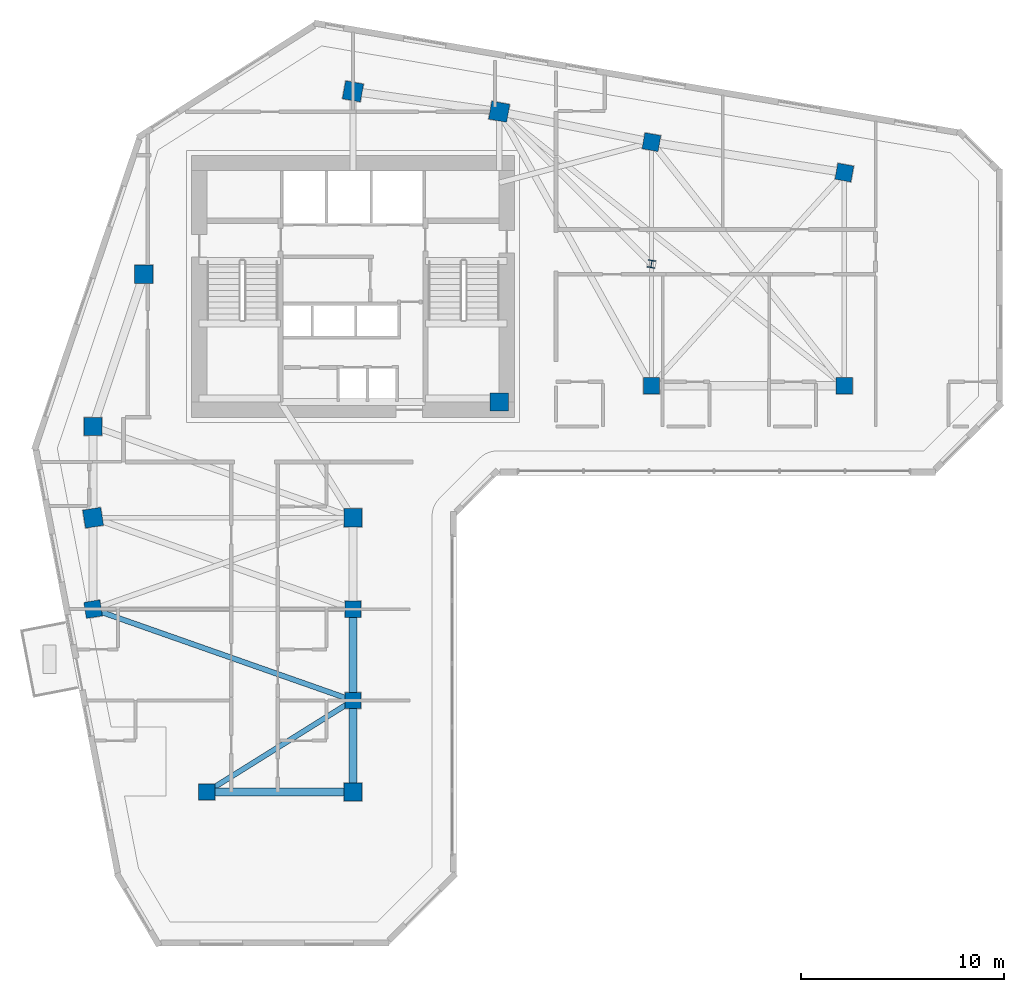
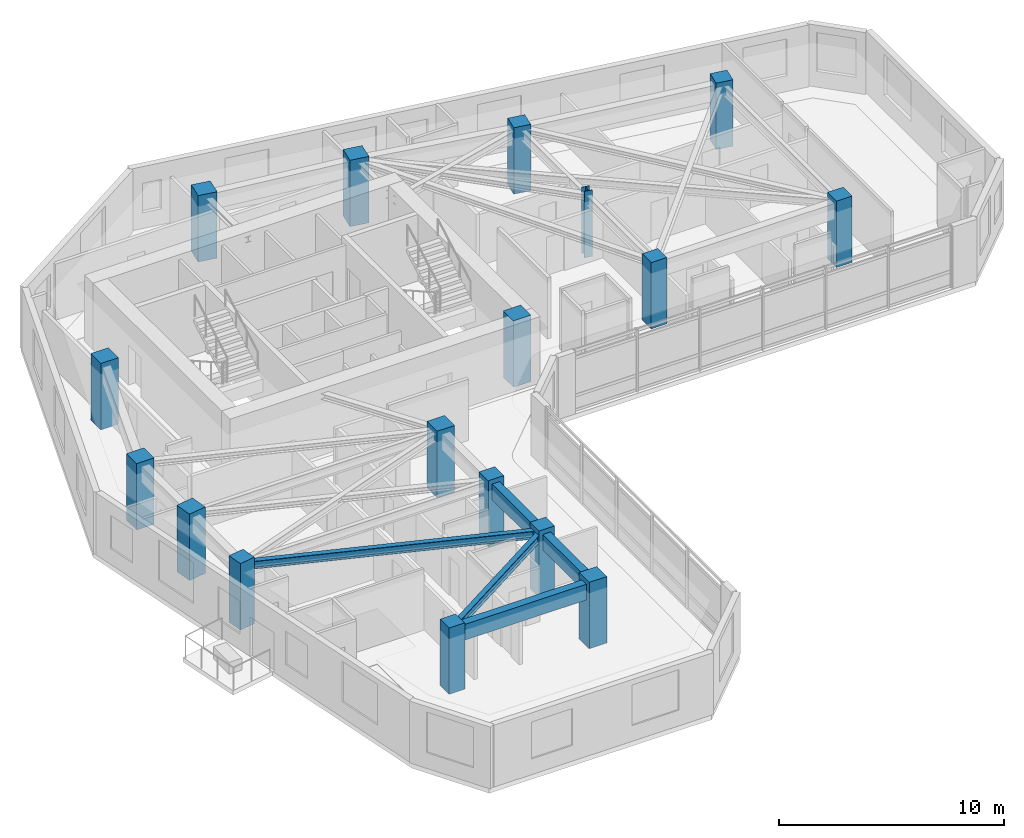
# One storey, part 1 of 12: 17 columns, 5 beams.
"""IFC4 building model written with IfcOpenShell, lengths in metres."""

import ifcopenshell
import ifcopenshell.guid

model = None  # the IFC model being written
_history = None  # IfcOwnerHistory: only IFC2X3 demands one
_inside = {}  # id of a spatial element -> (the spatial element, [elements in it])
_under = {}  # id of a project, library or spatial element -> (it, [spatial elements below it])
_declared = {}  # id of a project -> (the project, [libraries it declares])
_typed = {}  # id of a type object -> (the type object, [elements of that type])
_made_of = {}  # id of a material, layer set ... -> (it, [elements and type objects made of it])


def new_model(schema):
    """Start an empty IFC model of exactly this schema.

    Asked for "IFC4X3", IfcOpenShell would pick the latest addendum, in which some entities
    have other attributes; the version numbers below select the first issue.
    IFC2X3 requires an IfcOwnerHistory on every rooted entity: one is made here for all.
    """
    global model, _history
    if schema == "IFC4X3":
        model = ifcopenshell.file(schema_version=(4, 3, 0, 0))
    else:
        model = ifcopenshell.file(schema=schema)
    _inside.clear()
    _under.clear()
    _declared.clear()
    _typed.clear()
    _made_of.clear()
    _history = None
    if model.schema == "IFC2X3":
        org = make("IfcOrganization", Name="unknown")
        user = make(
            "IfcPersonAndOrganization",
            ThePerson=make("IfcPerson", FamilyName="unknown"),
            TheOrganization=org,
        )
        app = make(
            "IfcApplication",
            ApplicationDeveloper=org,
            Version="unknown",
            ApplicationFullName="unknown",
            ApplicationIdentifier="unknown",
        )
        _history = make(
            "IfcOwnerHistory",
            OwningUser=user,
            OwningApplication=app,
            ChangeAction="ADDED",
            CreationDate=0,
        )
    return model


def make(cls, **values):
    """One entity of the class cls with the attributes given. An attribute that is None is left unset."""
    return model.create_entity(
        cls, **{name: value for name, value in values.items() if value is not None}
    )


def rooted(cls, **values):
    """An entity with a GlobalId (a new one), such as an element, a storey or a relation."""
    return make(cls, GlobalId=ifcopenshell.guid.new(), OwnerHistory=_history, **values)


def si_unit(unit_type, name, prefix=None):
    """IfcSIUnit, for example si_unit("LENGTHUNIT", "METRE", prefix="MILLI")."""
    return make("IfcSIUnit", UnitType=unit_type, Prefix=prefix, Name=name)


def assignment(units):
    """IfcUnitAssignment: the units of a project."""
    return None if units is None else make("IfcUnitAssignment", Units=units)


def point(xyz):
    """IfcCartesianPoint."""
    return None if xyz is None else make("IfcCartesianPoint", Coordinates=xyz)


def direction(xyz):
    """IfcDirection."""
    return None if xyz is None else make("IfcDirection", DirectionRatios=xyz)


def frame(location, z_axis=None, x_axis=None):
    """IfcAxis2Placement3D, a coordinate frame: its origin and axes. An axis left out is left unset."""
    return make(
        "IfcAxis2Placement3D",
        Location=point(location),
        Axis=direction(z_axis),
        RefDirection=direction(x_axis),
    )


def frame_2d(location, x_axis=None):
    """IfcAxis2Placement2D, a coordinate frame in the plane: its origin and x axis."""
    return make(
        "IfcAxis2Placement2D", Location=point(location), RefDirection=direction(x_axis)
    )


def origin():
    """The frame at (0, 0, 0) with its axes left unset."""
    return frame((0.0, 0.0, 0.0))


def origin_2d():
    """The frame at (0, 0) in the plane with its x axis left unset."""
    return frame_2d((0.0, 0.0))


def place(relative_to, where):
    """IfcLocalPlacement: puts the frame where relative to a parent placement (None: the world)."""
    return make(
        "IfcLocalPlacement", PlacementRelTo=relative_to, RelativePlacement=where
    )


def context(
    kind, dimensions, precision=None, world=None, true_north=None, identifier=None
):
    """IfcGeometricRepresentationContext, for example the 3D "Model" context."""
    return make(
        "IfcGeometricRepresentationContext",
        ContextIdentifier=identifier,
        ContextType=kind,
        CoordinateSpaceDimension=dimensions,
        Precision=precision,
        WorldCoordinateSystem=world,
        TrueNorth=true_north,
    )


def subcontext(parent, identifier, kind, view, scale=None):
    """IfcGeometricRepresentationSubContext, for example "Body" below "Model"."""
    return make(
        "IfcGeometricRepresentationSubContext",
        ContextIdentifier=identifier,
        ContextType=kind,
        ParentContext=parent,
        TargetScale=scale,
        TargetView=view,
    )


def project(units=None, contexts=None):
    """IfcProject with its units and contexts."""
    return rooted(
        "IfcProject",
        Name="project",
        RepresentationContexts=contexts,
        UnitsInContext=assignment(units),
    )


def spatial(cls, under=None, at=None, **own):
    """A site, building, storey or space (cls), placed at a placement, below another one or the project."""
    s = rooted(cls, ObjectPlacement=at, **own)
    if under is not None:
        _under.setdefault(under.id(), (under, []))[1].append(s)
    return s


def profile(cls, at=None, kind="AREA", **sizes):
    """A parametric profile (cls). Its sizes go by their IFC names, for example OverallWidth=200.0."""
    return make(cls, ProfileType=kind, Position=at, **sizes)


def rectangle(**sizes):
    """IfcRectangleProfileDef."""
    return profile("IfcRectangleProfileDef", **sizes)


def i_section(**sizes):
    """IfcIShapeProfileDef."""
    return profile("IfcIShapeProfileDef", **sizes)


def extrude(swept, where, along, depth):
    """IfcExtrudedAreaSolid: the profile swept, set in the frame where, extruded along a direction by depth."""
    return make(
        "IfcExtrudedAreaSolid",
        SweptArea=swept,
        Position=where,
        ExtrudedDirection=direction(along),
        Depth=depth,
    )


def shape(context_of_items, identifier, shape_type, items):
    """IfcShapeRepresentation: the items that make up one representation, for example the "Body"."""
    return make(
        "IfcShapeRepresentation",
        ContextOfItems=context_of_items,
        RepresentationIdentifier=identifier,
        RepresentationType=shape_type,
        Items=items,
    )


def source(mapping_origin, context_of_items, identifier, shape_type, items):
    """IfcRepresentationMap: a shape defined once, which mapped items show again and again."""
    return make(
        "IfcRepresentationMap",
        MappingOrigin=mapping_origin,
        MappedRepresentation=shape(context_of_items, identifier, shape_type, items),
    )


def transform(
    local_origin,
    x_axis=None,
    y_axis=None,
    z_axis=None,
    scale=None,
    scale2=None,
    scale3=None,
    uniform=True,
):
    """IfcCartesianTransformationOperator3D, or its non-uniform kind. x_axis, y_axis, z_axis: its Axis1, 2, 3."""
    if uniform:
        return make(
            "IfcCartesianTransformationOperator3D",
            Axis1=direction(x_axis),
            Axis2=direction(y_axis),
            LocalOrigin=point(local_origin),
            Scale=scale,
            Axis3=direction(z_axis),
        )
    return make(
        "IfcCartesianTransformationOperator3DnonUniform",
        Axis1=direction(x_axis),
        Axis2=direction(y_axis),
        LocalOrigin=point(local_origin),
        Scale=scale,
        Axis3=direction(z_axis),
        Scale2=scale2,
        Scale3=scale3,
    )


def mapped(mapping_source, mapping_target):
    """IfcMappedItem: shows the shape of a source again, moved by a transform."""
    return make(
        "IfcMappedItem", MappingSource=mapping_source, MappingTarget=mapping_target
    )


def material(Name=None, Category=None):
    """IfcMaterial."""
    return make("IfcMaterial", Name=Name, Category=Category)


def material_profile(
    of_material, cross_section, Name=None, Category=None, Priority=None
):
    """IfcMaterialProfile: a cross section and its material."""
    return make(
        "IfcMaterialProfile",
        Name=Name,
        Material=of_material,
        Profile=cross_section,
        Priority=Priority,
        Category=Category,
    )


def profile_set(profiles, Name=None, composite=None):
    """IfcMaterialProfileSet."""
    return make(
        "IfcMaterialProfileSet",
        Name=Name,
        MaterialProfiles=profiles,
        CompositeProfile=composite,
    )


def made_of(thing, what):
    """Note that an element or type object is made of a material, layer set ...; save() writes the relation."""
    if what is not None:
        _made_of.setdefault(what.id(), (what, []))[1].append(thing)
    return thing


def type_object(cls, material=None, **own):
    """A type object (cls), such as IfcWallType, which elements share."""
    return made_of(rooted(cls, **own), material)


def element(
    cls,
    number,
    at=None,
    inside=None,
    cuts=None,
    type_object=None,
    material=None,
    context=None,
    identifier="Body",
    shape_type=None,
    held_by="IfcProductDefinitionShape",
    body=None,
    shapes=None,
    **own,
):
    """One element of the class cls, such as IfcWall. Its Tag is "e" and its number.

    at: its placement. inside: the storey or other place that contains it. cuts: it is an
    opening in that element (IfcRelVoidsElement). A single representation is given by context,
    identifier, shape_type and body (its items); several are given by shapes. held_by: the class
    of the entity that holds the representations. save() writes the other relations.
    """
    e = rooted(cls, Tag="e%d" % number, ObjectPlacement=at, **own)
    if body is not None:
        shapes = [shape(context, identifier, shape_type, body)]
    if shapes is not None:
        e.Representation = make(held_by, Representations=shapes)
    if inside is not None:
        _inside.setdefault(inside.id(), (inside, []))[1].append(e)
    if cuts is not None:
        rooted(
            "IfcRelVoidsElement", RelatingBuildingElement=cuts, RelatedOpeningElement=e
        )
    if type_object is not None:
        _typed.setdefault(type_object.id(), (type_object, []))[1].append(e)
    return made_of(e, material)


def aggregate(whole, parts):
    """IfcRelAggregates: a whole, such as a stair, and the parts it consists of."""
    return rooted("IfcRelAggregates", RelatingObject=whole, RelatedObjects=parts)


def save(model, path):
    """Write the relations noted so far, then the file.

    IfcRelAggregates (storeys below a building ...), IfcRelContainedInSpatialStructure (elements
    in a storey), IfcRelDefinesByType, IfcRelAssociatesMaterial and IfcRelDeclares: one each for
    every whole, place, type object, material and project.
    """
    for whole, parts in _under.values():
        aggregate(whole, parts)
    for where, things in _inside.values():
        rooted(
            "IfcRelContainedInSpatialStructure",
            RelatedElements=things,
            RelatingStructure=where,
        )
    for kind, things in _typed.values():
        rooted("IfcRelDefinesByType", RelatedObjects=things, RelatingType=kind)
    for what, things in _made_of.values():
        rooted("IfcRelAssociatesMaterial", RelatedObjects=things, RelatingMaterial=what)
    for by, libraries in _declared.values():
        rooted("IfcRelDeclares", RelatingContext=by, RelatedDefinitions=libraries)
    model.write(path)


model = new_model("IFC4")

# Units and contexts
model_context = context("Model", 3, precision=1e-05, world=origin(), true_north=direction((0.0, 1.0)))
body_context = subcontext(model_context, "Body", "Model", "MODEL_VIEW")
ifc_project = project(units=[si_unit("LENGTHUNIT", "METRE"), si_unit("AREAUNIT", "SQUARE_METRE"), si_unit("VOLUMEUNIT", "CUBIC_METRE"), si_unit("PLANEANGLEUNIT", "RADIAN"), si_unit("MASSUNIT", "GRAM", prefix="KILO")], contexts=[model_context])

# Site, building, storey
site_placement = place(None, origin())
site = spatial("IfcSite", under=ifc_project, at=site_placement, CompositionType="ELEMENT")
building_placement = place(site_placement, origin())
building = spatial("IfcBuilding", under=site, at=building_placement, Name="Calvemar Wedge Station Tower", CompositionType="ELEMENT")
storey_placement = place(building_placement, frame((0.0, 0.0, 121.39990234375)))
storey = spatial("IfcBuildingStorey", under=building, at=storey_placement, Name="L29", CompositionType="ELEMENT", Elevation=121.39990234375)

# Columns
ifc_material_1 = material(Name="Concrete C60", Category="concrete")
ifc_material_profile_1 = material_profile(ifc_material_1, rectangle(XDim=0.89990234375, YDim=0.89990234375, at=origin_2d()), Name="RC900x900")
ifc_profile_set_1 = profile_set([ifc_material_profile_1], Name="Concrete C60")
column_type_1 = type_object("IfcColumnType", Name="COL-C5-900", PredefinedType="COLUMN", material=ifc_profile_set_1)
shared_shape_1 = source(origin(), body_context, "Body", "SweptSolid", [
    extrude(rectangle(XDim=0.89990234375, YDim=0.89990234375, at=origin_2d()), origin(), (0.0, 0.0, 1.0), 3.60009765625),
])
for number, where, z_axis, x_axis, name in (
    (1, (11.0, 33.0, 0.0), (0.0, 0.0, 1.0), (1.0, 0.0, 0.0), "Storey L29 Column T-NW1"),
    (2, (13.5, 40.5, 0.0), (0.0, 0.0, 1.0), (1.0, 0.0, 0.0), "Storey L29 Column T-NW2"),
    (3, (23.800048828125, 49.5, 0.0), (0.0, 0.0, 1.0), (0.984195607969, -0.17708474032, 0.0), "Storey L29 Column T-N1"),
    (4, (31.0, 48.5, 0.0), (0.0, 0.0, 1.0), (0.984195607969, -0.17708474032, 0.0), "Storey L29 Column T-N2"),
    (5, (31.0, 34.199951171875, 0.0), (0.0, 0.0, 1.0), (1.0, 0.0, 0.0), "Storey L29 Column T-NL1"),
    (6, (11.0, 28.5, 0.0), (0.0, 0.0, 1.0), (0.158158067254, -0.987413806751, 0.0), "Storey L29 Column T-SW1"),
    (7, (23.800048828125, 28.5, 0.0), (0.0, 0.0, 1.0), (1.0, 0.0, 0.0), "Storey L29 Column T-SE1"),
    (8, (23.800048828125, 15.0, 0.0), (0.0, 0.0, 1.0), (1.0, 0.0, 0.0), "Storey L29 Column T-SE4"),
):
    element("IfcColumn", number, at=place(storey_placement, frame(where, z_axis=z_axis, x_axis=x_axis)), inside=storey, type_object=column_type_1, Name=name, PredefinedType="COLUMN", context=body_context, shape_type="MappedRepresentation", body=[
        mapped(shared_shape_1, transform((0.0, 0.0, 0.0), scale=1.0)),
    ])
ifc_material_2 = material(Name="Concrete C50", Category="concrete")
ifc_material_profile_2 = material_profile(ifc_material_2, rectangle(XDim=0.800048828125, YDim=0.800048828125, at=origin_2d()), Name="RC800x800")
ifc_profile_set_2 = profile_set([ifc_material_profile_2], Name="Concrete C50")
column_type_2 = type_object("IfcColumnType", Name="COL-C6-800", PredefinedType="COLUMN", material=ifc_profile_set_2)
shared_shape_2 = source(origin(), body_context, "Body", "SweptSolid", [
    extrude(rectangle(XDim=0.800048828125, YDim=0.800048828125, at=origin_2d()), origin(), (0.0, 0.0, 1.0), 3.60009765625),
])
for number, where, z_axis, x_axis, name in (
    (9, (38.5, 47.0, 0.0), (0.0, 0.0, 1.0), (0.984195607969, -0.17708474032, 0.0), "Storey L29 Column T-NU3"),
    (10, (48.0, 45.5, 0.0), (0.0, 0.0, 1.0), (0.984195607969, -0.17708474032, 0.0), "Storey L29 Column T-NU4"),
    (11, (38.5, 35.0, 0.0), (0.0, 0.0, 1.0), (1.0, 0.0, 0.0), "Storey L29 Column T-NL2"),
    (12, (48.0, 35.0, 0.0), (0.0, 0.0, 1.0), (1.0, 0.0, 0.0), "Storey L29 Column T-NL3"),
    (13, (11.0, 24.0, 0.0), (0.0, 0.0, 1.0), (0.158158067254, -0.987413806751, 0.0), "Storey L29 Column T-SW2"),
    (14, (23.800048828125, 24.0, 0.0), (0.0, 0.0, 1.0), (1.0, 0.0, 0.0), "Storey L29 Column T-SE2"),
    (15, (23.800048828125, 19.5, 0.0), (0.0, 0.0, 1.0), (1.0, 0.0, 0.0), "Storey L29 Column T-SE3"),
    (16, (16.60009765625, 15.0, 0.0), (0.0, 0.0, 1.0), (1.0, 0.0, 0.0), "Storey L29 Column T-SM1"),
):
    element("IfcColumn", number, at=place(storey_placement, frame(where, z_axis=z_axis, x_axis=x_axis)), inside=storey, type_object=column_type_2, Name=name, PredefinedType="COLUMN", context=body_context, shape_type="MappedRepresentation", body=[
        mapped(shared_shape_2, transform((0.0, 0.0, 0.0), scale=1.0)),
    ])
ifc_material_3 = material(Name="Structural steel ASTM A572 Grade 50", Category="steel")
ifc_material_profile_3 = material_profile(ifc_material_3, i_section(OverallWidth=0.3740234375, OverallDepth=0.3720703125, WebThickness=0.016357421875, FlangeThickness=0.026123046875, FilletRadius=0.014892578125, at=origin_2d()), Name="W360x196")
ifc_profile_set_3 = profile_set([ifc_material_profile_3], Name="Structural steel ASTM A572 Grade 50")
column_type_3 = type_object("IfcColumnType", Name="COL-STL-W360", PredefinedType="COLUMN", material=ifc_profile_set_3)
shared_shape_3 = source(origin(), body_context, "Body", "SweptSolid", [
    extrude(i_section(OverallWidth=0.3740234375, OverallDepth=0.3720703125, WebThickness=0.016357421875, FlangeThickness=0.026123046875, FilletRadius=0.014892578125, at=origin_2d()), origin(), (0.0, 0.0, 1.0), 3.60009765625),
])
column_placement = place(storey_placement, frame((38.5, 41.0, 0.0), z_axis=(0.0, 0.0, 1.0), x_axis=(0.984195607969, -0.17708474032, 0.0)))
element("IfcColumn", 17, at=column_placement, inside=storey, type_object=column_type_3, Name="Storey L29 Column T-NTIP-B", PredefinedType="COLUMN", context=body_context, shape_type="MappedRepresentation", body=[
    mapped(shared_shape_3, transform((0.0, 0.0, 0.0), scale=1.0)),
])

# Beams
ifc_material_profile_4 = material_profile(ifc_material_1, rectangle(XDim=0.39990234375, YDim=0.85009765625, at=origin_2d()), Name="RC400x850")
ifc_profile_set_4 = profile_set([ifc_material_profile_4], Name="Concrete C60")
beam_type_1 = type_object("IfcBeamType", Name="BM-SP1-850", PredefinedType="SPANDREL", material=ifc_profile_set_4)
shared_shape_4 = source(origin(), body_context, "Body", "SweptSolid", [
    extrude(rectangle(XDim=0.39990234375, YDim=0.85009765625, at=origin_2d()), origin(), (0.0, 0.0, 1.0), 4.5),
])
for number, where, z_axis, x_axis, name in (
    (18, (23.800048828125, 24.0, 2.925048828125), (0.0, -1.0, 0.0), (1.0, 0.0, 0.0), "Storey L29 Spandrel T-SE2-T-SE3"),
    (19, (23.800048828125, 19.5, 2.925048828125), (0.0, -1.0, 0.0), (1.0, 0.0, 0.0), "Storey L29 Spandrel T-SE3-T-SE4"),
):
    element("IfcBeam", number, at=place(storey_placement, frame(where, z_axis=z_axis, x_axis=x_axis)), inside=storey, type_object=beam_type_1, Name=name, PredefinedType="SPANDREL", context=body_context, shape_type="MappedRepresentation", body=[
        mapped(shared_shape_4, transform((0.0, 0.0, 0.0), scale=1.0)),
    ])
shared_shape_5 = source(origin(), body_context, "Body", "SweptSolid", [
    extrude(rectangle(XDim=0.39990234375, YDim=0.85009765625, at=origin_2d()), origin(), (0.0, 0.0, 1.0), 7.199951171875),
])
beam_1_placement = place(storey_placement, frame((16.60009765625, 15.0, 2.925048828125), z_axis=(1.0, 0.0, 0.0), x_axis=(0.0, 1.0, 0.0)))
element("IfcBeam", 20, at=beam_1_placement, inside=storey, type_object=beam_type_1, Name="Storey L29 Spandrel T-SM1-T-SE4", PredefinedType="SPANDREL", context=body_context, shape_type="MappedRepresentation", body=[
    mapped(shared_shape_5, transform((0.0, 0.0, 0.0), scale=1.0)),
])
ifc_material_profile_5 = material_profile(ifc_material_3, i_section(OverallWidth=0.260986328125, OverallDepth=0.419921875, WebThickness=0.01171875, FlangeThickness=0.019287109375, FilletRadius=0.012939453125, at=origin_2d()), Name="W410x114")
ifc_profile_set_5 = profile_set([ifc_material_profile_5], Name="Structural steel ASTM A572 Grade 50")
beam_type_2 = type_object("IfcBeamType", Name="BM-J2-W410H", PredefinedType="JOIST", material=ifc_profile_set_5)
shared_shape_6 = source(origin(), body_context, "Body", "SweptSolid", [
    extrude(i_section(OverallWidth=0.260986328125, OverallDepth=0.419921875, WebThickness=0.01171875, FlangeThickness=0.019287109375, FilletRadius=0.012939453125, at=origin_2d()), origin(), (0.0, 0.0, 1.0), 13.568115234375),
])
beam_2_placement = place(storey_placement, frame((11.0, 24.0, 3.14013671875), z_axis=(0.943398221169, -0.331662171939, 0.0), x_axis=(0.331662171939, 0.943398221169, 0.0)))
element("IfcBeam", 21, at=beam_2_placement, inside=storey, type_object=beam_type_2, Name="Storey L29 Floor Beam T-SW2-T-SE3", PredefinedType="JOIST", context=body_context, shape_type="MappedRepresentation", body=[
    mapped(shared_shape_6, transform((0.0, 0.0, 0.0), scale=1.0)),
])
shared_shape_7 = source(origin(), body_context, "Body", "SweptSolid", [
    extrude(i_section(OverallWidth=0.260986328125, OverallDepth=0.419921875, WebThickness=0.01171875, FlangeThickness=0.019287109375, FilletRadius=0.012939453125, at=origin_2d()), origin(), (0.0, 0.0, 1.0), 8.490478515625),
])
beam_3_placement = place(storey_placement, frame((23.800048828125, 19.5, 3.14013671875), z_axis=(-0.847996688584, -0.530001524668, 0.0), x_axis=(0.530001524668, -0.847996688584, 0.0)))
element("IfcBeam", 22, at=beam_3_placement, inside=storey, type_object=beam_type_2, Name="Storey L29 Floor Beam T-SE3-T-SM1", PredefinedType="JOIST", context=body_context, shape_type="MappedRepresentation", body=[
    mapped(shared_shape_7, transform((0.0, 0.0, 0.0), scale=1.0)),
])

save(model, "model.ifc")
